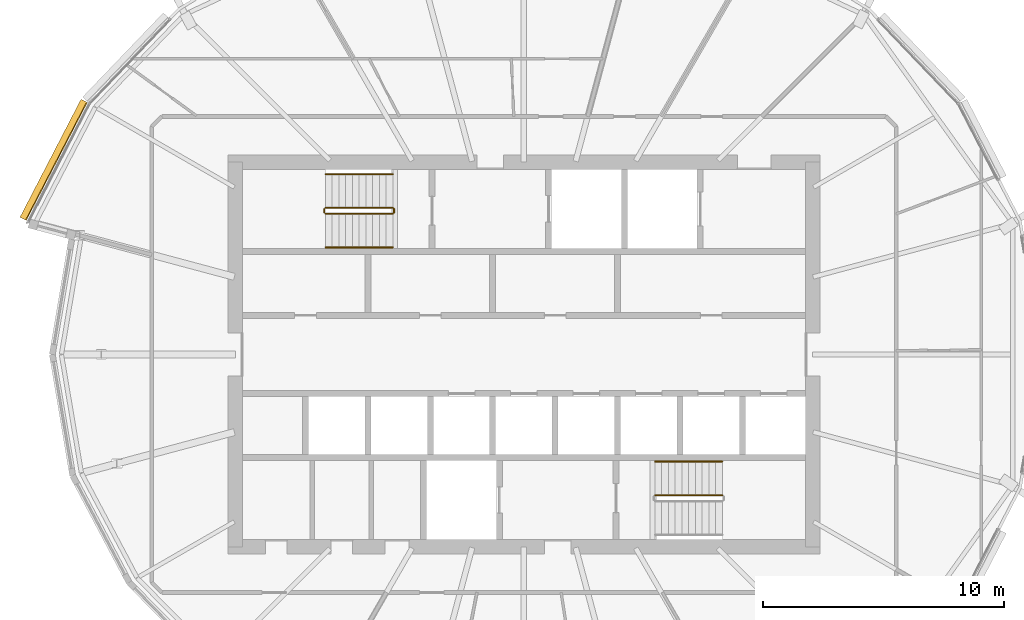
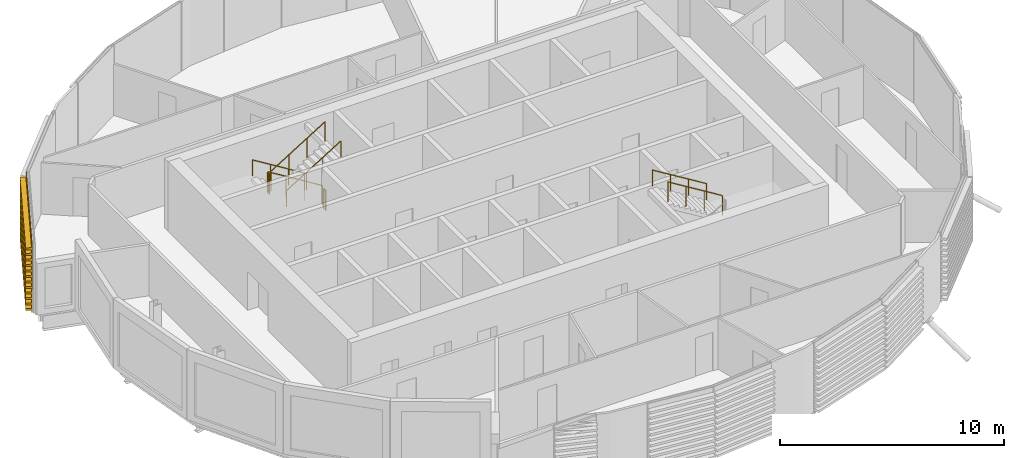
# One storey, part 31 of 35: 8 railings, 1 covering.
"""IFC4 building model written with IfcOpenShell, lengths in metres."""

from ifc_helpers import new_model, si_unit, direction, frame, origin, origin_2d, place, context, subcontext, project, spatial, polyline, circle, outline, extrude, material, material_profile, profile_set, type_object, element, save


model = new_model("IFC4")

# Units and contexts
model_context = context("Model", 3, precision=1e-05, world=origin(), true_north=direction((0.0, 1.0)))
body_context = subcontext(model_context, "Body", "Model", "MODEL_VIEW")
ifc_project = project(units=[si_unit("LENGTHUNIT", "METRE"), si_unit("AREAUNIT", "SQUARE_METRE"), si_unit("VOLUMEUNIT", "CUBIC_METRE"), si_unit("PLANEANGLEUNIT", "RADIAN"), si_unit("MASSUNIT", "GRAM", prefix="KILO")], contexts=[model_context])

# Site, building, storey
site_placement = place(None, origin())
site = spatial("IfcSite", under=ifc_project, at=site_placement, CompositionType="ELEMENT")
building_placement = place(site_placement, origin())
building = spatial("IfcBuilding", under=site, at=building_placement, Name="Rimbun Link Towers", CompositionType="ELEMENT")
storey_placement = place(building_placement, frame((0.0, 0.0, 196.89990234375)))
storey = spatial("IfcBuildingStorey", under=building, at=storey_placement, Name="L48", CompositionType="ELEMENT", Elevation=196.89990234375)

# Railings
ifc_material_1 = material(Name="Stainless steel grade 316", Category="steel")
railing_type_1 = type_object("IfcRailingType", Name="Stair guard", PredefinedType="GUARDRAIL", material=ifc_material_1)
railing_1_placement = place(storey_placement, frame((-37.199951171875, 6.10009765625, 0.1728515625)))
element("IfcRailing", 1, at=railing_1_placement, inside=storey, type_object=railing_type_1, Name="L48 ST1 stair guard 1", PredefinedType="GUARDRAIL", context=body_context, shape_type="SweptSolid", body=[
    extrude(circle(Radius=0.02392578125, at=origin_2d()), frame((0.0, 0.0, 1.076171875), z_axis=(-0.851089632645, 0.0, 0.525020415988), x_axis=(0.0, -1.0, 0.0)), (0.0, 0.0, 1.0), 3.2900390625),
    extrude(circle(Radius=0.02099609375, at=origin_2d()), origin(), (0.0, 0.0, 1.0), 1.052001953125),
    extrude(circle(Radius=0.02099609375, at=origin_2d()), frame((-0.933349609375, 0.0, 0.57568359375)), (0.0, 0.0, 1.0), 1.052001953125),
    extrude(circle(Radius=0.02099609375, at=origin_2d()), frame((-1.86669921875, 0.0, 1.151611328125)), (0.0, 0.0, 1.0), 1.052001953125),
    extrude(circle(Radius=0.02099609375, at=origin_2d()), frame((-2.800048828125, 0.0, 1.727294921875)), (0.0, 0.0, 1.0), 1.052001953125),
])
railing_2_placement = place(storey_placement, frame((-40.050048828125, 6.050048828125, 1.900146484375)))
element("IfcRailing", 2, at=railing_2_placement, inside=storey, type_object=railing_type_1, Name="L48 ST1 stair guard 2", PredefinedType="GUARDRAIL", context=body_context, shape_type="SweptSolid", body=[
    extrude(circle(Radius=0.02392578125, at=origin_2d()), frame((0.0, 0.0, 1.076171875), z_axis=(0.0, -1.0, 0.0), x_axis=(1.0, 0.0, 0.0)), (0.0, 0.0, 1.0), 0.150146484375),
    extrude(circle(Radius=0.02099609375, at=origin_2d()), origin(), (0.0, 0.0, 1.0), 1.052001953125),
    extrude(circle(Radius=0.02099609375, at=origin_2d()), frame((0.0, -0.150146484375, 0.0)), (0.0, 0.0, 1.0), 1.052001953125),
])
railing_3_placement = place(storey_placement, frame((-40.0, 5.85009765625, 2.07275390625)))
element("IfcRailing", 3, at=railing_3_placement, inside=storey, type_object=railing_type_1, Name="L48 ST1 stair guard 3", PredefinedType="GUARDRAIL", context=body_context, shape_type="SweptSolid", body=[
    extrude(circle(Radius=0.02392578125, at=origin_2d()), frame((0.0, 0.0, 1.076171875), z_axis=(0.851089632645, 0.0, 0.525020415988), x_axis=(0.0, 1.0, 0.0)), (0.0, 0.0, 1.0), 3.2900390625),
    extrude(circle(Radius=0.02099609375, at=origin_2d()), origin(), (0.0, 0.0, 1.0), 1.052001953125),
    extrude(circle(Radius=0.02099609375, at=origin_2d()), frame((0.933349609375, 0.0, 0.57568359375)), (0.0, 0.0, 1.0), 1.052001953125),
    extrude(circle(Radius=0.02099609375, at=origin_2d()), frame((1.86669921875, 0.0, 1.151611328125)), (0.0, 0.0, 1.0), 1.052001953125),
    extrude(circle(Radius=0.02099609375, at=origin_2d()), frame((2.800048828125, 0.0, 1.727294921875)), (0.0, 0.0, 1.0), 1.052001953125),
])
railing_4_placement = place(storey_placement, frame((-37.14990234375, 6.050048828125, 0.0)))
element("IfcRailing", 4, at=railing_4_placement, inside=storey, type_object=railing_type_1, Name="L48 ST1 stair guard 4", PredefinedType="GUARDRAIL", context=body_context, shape_type="SweptSolid", body=[
    extrude(circle(Radius=0.02392578125, at=origin_2d()), frame((0.0, 0.0, 1.076171875), z_axis=(0.0, -1.0, 0.0), x_axis=(1.0, 0.0, 0.0)), (0.0, 0.0, 1.0), 0.150146484375),
    extrude(circle(Radius=0.02099609375, at=origin_2d()), origin(), (0.0, 0.0, 1.0), 1.052001953125),
    extrude(circle(Radius=0.02099609375, at=origin_2d()), frame((0.0, -0.150146484375, 0.0)), (0.0, 0.0, 1.0), 1.052001953125),
])
railing_5_placement = place(storey_placement, frame((-23.5, -5.85009765625, 2.07275390625)))
element("IfcRailing", 5, at=railing_5_placement, inside=storey, type_object=railing_type_1, Name="L48 ST2 stair guard 3", PredefinedType="GUARDRAIL", context=body_context, shape_type="SweptSolid", body=[
    extrude(circle(Radius=0.02392578125, at=origin_2d()), frame((0.0, 0.0, 1.076171875), z_axis=(-0.851089632645, 0.0, 0.525020415988), x_axis=(0.0, -1.0, 0.0)), (0.0, 0.0, 1.0), 3.2900390625),
    extrude(circle(Radius=0.02099609375, at=origin_2d()), origin(), (0.0, 0.0, 1.0), 1.052001953125),
    extrude(circle(Radius=0.02099609375, at=origin_2d()), frame((-0.933349609375, 0.0, 0.57568359375)), (0.0, 0.0, 1.0), 1.052001953125),
    extrude(circle(Radius=0.02099609375, at=origin_2d()), frame((-1.86669921875, 0.0, 1.151611328125)), (0.0, 0.0, 1.0), 1.052001953125),
    extrude(circle(Radius=0.02099609375, at=origin_2d()), frame((-2.800048828125, 0.0, 1.727294921875)), (0.0, 0.0, 1.0), 1.052001953125),
])
ifc_material_2 = material(Name="Stainless steel grade 316", Category="steel")
railing_type_2 = type_object("IfcRailingType", Name="Stair handrail", PredefinedType="HANDRAIL", material=ifc_material_2)
railing_6_placement = place(storey_placement, frame((-37.199951171875, 7.5, 0.1728515625)))
element("IfcRailing", 6, at=railing_6_placement, inside=storey, type_object=railing_type_2, Name="L48 ST1 stair handrail 1", PredefinedType="HANDRAIL", context=body_context, shape_type="SweptSolid", body=[
    extrude(circle(Radius=0.02392578125, at=origin_2d()), frame((0.0, 0.0, 0.8759765625), z_axis=(-0.851089632645, 0.0, 0.525020415988), x_axis=(0.0, -1.0, 0.0)), (0.0, 0.0, 1.0), 3.2900390625),
    extrude(circle(Radius=0.02099609375, at=origin_2d()), origin(), (0.0, 0.0, 1.0), 0.851806640625),
    extrude(circle(Radius=0.02099609375, at=origin_2d()), frame((-0.933349609375, 0.0, 0.57568359375)), (0.0, 0.0, 1.0), 0.851806640625),
    extrude(circle(Radius=0.02099609375, at=origin_2d()), frame((-1.86669921875, 0.0, 1.151611328125)), (0.0, 0.0, 1.0), 0.851806640625),
    extrude(circle(Radius=0.02099609375, at=origin_2d()), frame((-2.800048828125, 0.0, 1.727294921875)), (0.0, 0.0, 1.0), 0.851806640625),
])
railing_7_placement = place(storey_placement, frame((-40.0, 4.449951171875, 2.07275390625)))
element("IfcRailing", 7, at=railing_7_placement, inside=storey, type_object=railing_type_2, Name="L48 ST1 stair handrail 2", PredefinedType="HANDRAIL", context=body_context, shape_type="SweptSolid", body=[
    extrude(circle(Radius=0.02392578125, at=origin_2d()), frame((0.0, 0.0, 0.8759765625), z_axis=(0.851089632645, 0.0, 0.525020415988), x_axis=(0.0, 1.0, 0.0)), (0.0, 0.0, 1.0), 3.2900390625),
    extrude(circle(Radius=0.02099609375, at=origin_2d()), origin(), (0.0, 0.0, 1.0), 0.851806640625),
    extrude(circle(Radius=0.02099609375, at=origin_2d()), frame((0.933349609375, 0.0, 0.57568359375)), (0.0, 0.0, 1.0), 0.851806640625),
    extrude(circle(Radius=0.02099609375, at=origin_2d()), frame((1.86669921875, 0.0, 1.151611328125)), (0.0, 0.0, 1.0), 0.851806640625),
    extrude(circle(Radius=0.02099609375, at=origin_2d()), frame((2.800048828125, 0.0, 1.727294921875)), (0.0, 0.0, 1.0), 0.851806640625),
])
railing_8_placement = place(storey_placement, frame((-23.5, -4.449951171875, 2.07275390625)))
element("IfcRailing", 8, at=railing_8_placement, inside=storey, type_object=railing_type_2, Name="L48 ST2 stair handrail 2", PredefinedType="HANDRAIL", context=body_context, shape_type="SweptSolid", body=[
    extrude(circle(Radius=0.02392578125, at=origin_2d()), frame((0.0, 0.0, 0.8759765625), z_axis=(-0.851089632645, 0.0, 0.525020415988), x_axis=(0.0, -1.0, 0.0)), (0.0, 0.0, 1.0), 3.2900390625),
    extrude(circle(Radius=0.02099609375, at=origin_2d()), origin(), (0.0, 0.0, 1.0), 0.851806640625),
    extrude(circle(Radius=0.02099609375, at=origin_2d()), frame((-0.933349609375, 0.0, 0.57568359375)), (0.0, 0.0, 1.0), 0.851806640625),
    extrude(circle(Radius=0.02099609375, at=origin_2d()), frame((-1.86669921875, 0.0, 1.151611328125)), (0.0, 0.0, 1.0), 0.851806640625),
    extrude(circle(Radius=0.02099609375, at=origin_2d()), frame((-2.800048828125, 0.0, 1.727294921875)), (0.0, 0.0, 1.0), 0.851806640625),
])

# Covering
ifc_material_3 = material(Name="Terracotta", Category="masonry")
ifc_material_profile = material_profile(ifc_material_3, outline(polyline([(0.123046875, 0.0), (0.1630859375, 0.0), (0.1630859375, 0.10009765625), (0.423095703125, 0.10009765625), (0.423095703125, 0.219970703125), (0.1630859375, 0.219970703125), (0.1630859375, 0.39990234375), (0.423095703125, 0.39990234375), (0.423095703125, 0.52001953125), (0.1630859375, 0.52001953125), (0.1630859375, 0.699951171875), (0.423095703125, 0.699951171875), (0.423095703125, 0.820068359375), (0.1630859375, 0.820068359375), (0.1630859375, 1.0), (0.423095703125, 1.0), (0.423095703125, 1.1201171875), (0.1630859375, 1.1201171875), (0.1630859375, 1.300048828125), (0.423095703125, 1.300048828125), (0.423095703125, 1.419921875), (0.1630859375, 1.419921875), (0.1630859375, 1.60009765625), (0.423095703125, 1.60009765625), (0.423095703125, 1.719970703125), (0.1630859375, 1.719970703125), (0.1630859375, 1.89990234375), (0.423095703125, 1.89990234375), (0.423095703125, 2.02001953125), (0.1630859375, 2.02001953125), (0.1630859375, 2.199951171875), (0.423095703125, 2.199951171875), (0.423095703125, 2.320068359375), (0.1630859375, 2.320068359375), (0.1630859375, 2.5), (0.423095703125, 2.5), (0.423095703125, 2.6201171875), (0.1630859375, 2.6201171875), (0.1630859375, 2.800048828125), (0.423095703125, 2.800048828125), (0.423095703125, 2.919921875), (0.1630859375, 2.919921875), (0.1630859375, 3.10009765625), (0.423095703125, 3.10009765625), (0.423095703125, 3.219970703125), (0.1630859375, 3.219970703125), (0.1630859375, 3.39990234375), (0.423095703125, 3.39990234375), (0.423095703125, 3.52001953125), (0.1630859375, 3.52001953125), (0.1630859375, 3.800048828125), (0.123046875, 3.800048828125), (0.123046875, 0.0)])), Name="BAGUETTE 120X300")
ifc_profile_set = profile_set([ifc_material_profile], Name="Terracotta")
covering_type = type_object("IfcCoveringType", Name="TERRACOTTA BAGUETTE 120X300 H3800", PredefinedType="CLADDING", material=ifc_profile_set)
covering_placement = place(storey_placement, frame((-52.326904296875, 5.513671875, 0.0), z_axis=(0.459591381611, 0.888130487006, 0.0), x_axis=(-0.888130487006, 0.459591381611, 0.0)))
element("IfcCovering", 9, at=covering_placement, inside=storey, type_object=covering_type, Name="TERRACOTTA BAGUETTE", PredefinedType="CLADDING", context=body_context, shape_type="SweptSolid", body=[
    extrude(outline(polyline([(0.123046875, 0.0), (0.1630859375, 0.0), (0.1630859375, 0.10009765625), (0.423095703125, 0.10009765625), (0.423095703125, 0.219970703125), (0.1630859375, 0.219970703125), (0.1630859375, 0.39990234375), (0.423095703125, 0.39990234375), (0.423095703125, 0.52001953125), (0.1630859375, 0.52001953125), (0.1630859375, 0.699951171875), (0.423095703125, 0.699951171875), (0.423095703125, 0.820068359375), (0.1630859375, 0.820068359375), (0.1630859375, 1.0), (0.423095703125, 1.0), (0.423095703125, 1.1201171875), (0.1630859375, 1.1201171875), (0.1630859375, 1.300048828125), (0.423095703125, 1.300048828125), (0.423095703125, 1.419921875), (0.1630859375, 1.419921875), (0.1630859375, 1.60009765625), (0.423095703125, 1.60009765625), (0.423095703125, 1.719970703125), (0.1630859375, 1.719970703125), (0.1630859375, 1.89990234375), (0.423095703125, 1.89990234375), (0.423095703125, 2.02001953125), (0.1630859375, 2.02001953125), (0.1630859375, 2.199951171875), (0.423095703125, 2.199951171875), (0.423095703125, 2.320068359375), (0.1630859375, 2.320068359375), (0.1630859375, 2.5), (0.423095703125, 2.5), (0.423095703125, 2.6201171875), (0.1630859375, 2.6201171875), (0.1630859375, 2.800048828125), (0.423095703125, 2.800048828125), (0.423095703125, 2.919921875), (0.1630859375, 2.919921875), (0.1630859375, 3.10009765625), (0.423095703125, 3.10009765625), (0.423095703125, 3.219970703125), (0.1630859375, 3.219970703125), (0.1630859375, 3.39990234375), (0.423095703125, 3.39990234375), (0.423095703125, 3.52001953125), (0.1630859375, 3.52001953125), (0.1630859375, 3.800048828125), (0.123046875, 3.800048828125), (0.123046875, 0.0)])), origin(), (0.0, 0.0, 1.0), 5.519287109375),
])

save(model, "model.ifc")
